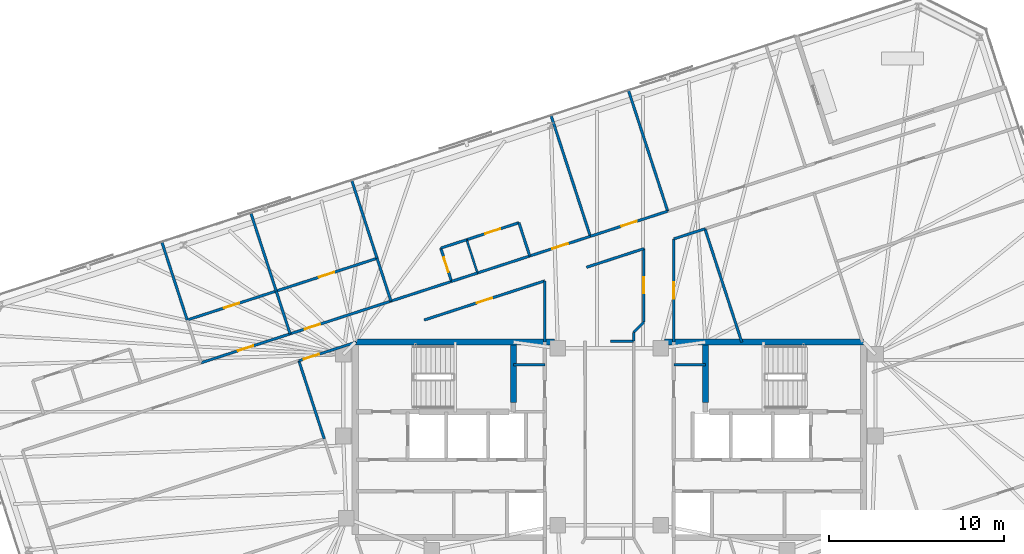
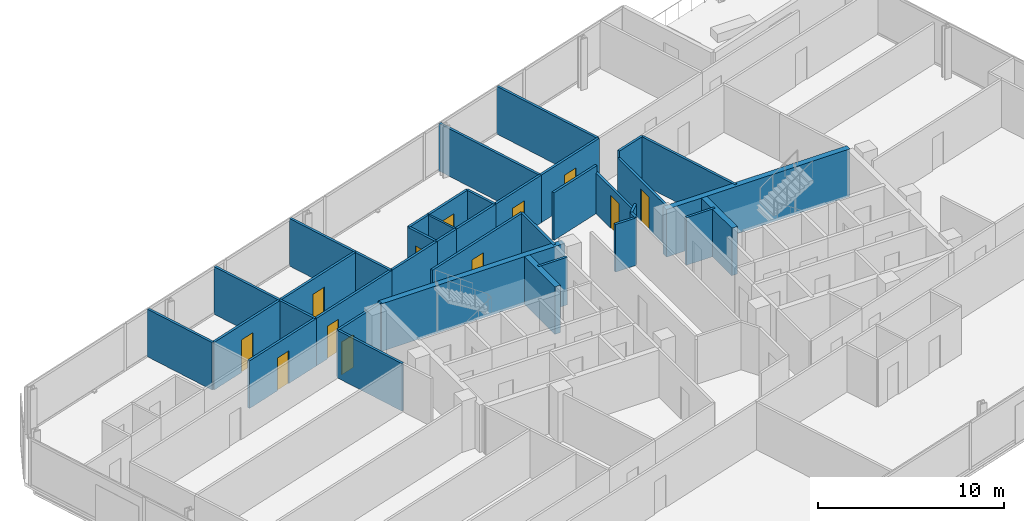
# One storey, part 16 of 19: 39 walls, 12 doors, 12 openings.
"""IFC4 building model written with IfcOpenShell, lengths in metres."""

from ifc_helpers import new_model, si_unit, direction, frame, frame_2d, origin, place, context, subcontext, project, spatial, rectangle, extrude, material, layer, layer_set, type_object, element, fill, save


model = new_model("IFC4")

# Units and contexts
model_context = context("Model", 3, precision=1e-05, world=origin(), true_north=direction((0.0, 1.0)))
body_context = subcontext(model_context, "Body", "Model", "MODEL_VIEW")
ifc_project = project(units=[si_unit("LENGTHUNIT", "METRE"), si_unit("AREAUNIT", "SQUARE_METRE"), si_unit("VOLUMEUNIT", "CUBIC_METRE"), si_unit("PLANEANGLEUNIT", "RADIAN"), si_unit("MASSUNIT", "GRAM", prefix="KILO")], contexts=[model_context])

# Site, building, storey
site_placement = place(None, origin())
site = spatial("IfcSite", under=ifc_project, at=site_placement, CompositionType="ELEMENT")
building_placement = place(site_placement, origin())
building = spatial("IfcBuilding", under=site, at=building_placement, Name="Menara Jurai Vektor", CompositionType="ELEMENT")
storey_placement = place(building_placement, frame((0.0, 0.0, 231.0)))
storey = spatial("IfcBuildingStorey", under=building, at=storey_placement, Name="L61", CompositionType="ELEMENT", Elevation=231.0)

# Walls
ifc_material_1 = material(Name="Gypsum Fireboard Partition", Category="gypsum")
ifc_layer_1 = layer(ifc_material_1, 0.14990234375)
ifc_layer_set_1 = layer_set([ifc_layer_1], Name="Gypsum Fireboard Partition")
wall_type_1 = type_object("IfcWallType", Name="INT-WALL-CORR-150", PredefinedType="PARTITIONING", material=ifc_layer_set_1)
for number, where, z_axis, x_axis, name in (
    (1, (-5.5, 4.300048828125, 0.0), (0.0, 0.0, 1.0), (1.0, 0.0, 0.0), "Interior Wall IW-150 L61"),
    (2, (3.699951171875, 4.300048828125, 0.0), (0.0, 0.0, 1.0), (1.0, 0.0, 0.0), "Interior Wall IW-150 L61"),
):
    element("IfcWall", number, at=place(storey_placement, frame(where, z_axis=z_axis, x_axis=x_axis)), inside=storey, type_object=wall_type_1, Name=name, PredefinedType="PARTITIONING", context=body_context, shape_type="SweptSolid", body=[
        extrude(rectangle(XDim=1.800048828125, YDim=0.14990234375, at=frame_2d((0.89990234375, 0.0))), origin(), (0.0, 0.0, 1.0), 3.125),
    ])
wall_1_placement = place(storey_placement, frame((-12.513427734375, 7.94921875, 0.0), z_axis=(0.0, 0.0, 1.0), x_axis=(0.951050780541, 0.309034646652, 0.0)))
element("IfcWall", 3, at=wall_1_placement, inside=storey, type_object=wall_type_1, Name="Interior Wall IW-150 L61", PredefinedType="PARTITIONING", context=body_context, shape_type="SweptSolid", body=[
    extrude(rectangle(XDim=3.64990234375, YDim=0.14990234375, at=frame_2d((1.824951171875, 0.0))), origin(), (0.0, 0.0, 1.0), 3.125),
])

# Wall, opening, door
wall_2_placement = place(storey_placement, frame((-4.560791015625, 10.533203125, 0.0), z_axis=(0.0, 0.0, 1.0), x_axis=(0.951057168147, 0.309014988174, 0.0)))
wall_2 = element("IfcWall", 4, at=wall_2_placement, inside=storey, type_object=wall_type_1, Name="Interior Wall IW-150 L61", PredefinedType="PARTITIONING", context=body_context, shape_type="SweptSolid", body=[
    extrude(rectangle(XDim=3.650146484375, YDim=0.14990234375, at=frame_2d((1.8251953125, 0.0))), origin(), (0.0, 0.0, 1.0), 3.125),
])
opening_1_placement = place(wall_2_placement, frame((1.35009765625, 0.0, 0.0)))
opening_1 = element("IfcOpeningElement", 5, at=opening_1_placement, cuts=wall_2, Name="Opening D61-12", PredefinedType="OPENING", context=body_context, shape_type="SweptSolid", body=[
    extrude(rectangle(XDim=0.949951171875, YDim=2.14990234375, at=frame_2d((0.47509765625, 1.074951171875))), frame((0.0, 0.0849609375, 0.0), z_axis=(0.0, -1.0, 0.0), x_axis=(1.0, 0.0, 0.0)), (0.0, 0.0, 1.0), 0.169921875),
])
ifc_material_2 = material(Name="Solid Core Timber Fire Door", Category="wood")
door_type_1 = type_object("IfcDoorType", Name="DR-ENTRY-950", OperationType="NOTDEFINED", PredefinedType="DOOR", material=ifc_material_2)
door_1_placement = place(opening_1_placement, origin())
door_1 = element("IfcDoor", 6, at=door_1_placement, inside=storey, type_object=door_type_1, Name="Interior Door D61-12", OperationType="SINGLE_SWING_LEFT", OverallHeight=2.14990234375, OverallWidth=0.949951171875, PredefinedType="DOOR", context=body_context, shape_type="SweptSolid", body=[
    extrude(rectangle(XDim=0.949951171875, YDim=2.14990234375, at=frame_2d((0.47509765625, 1.074951171875))), frame((0.0, 0.02490234375, 0.0), z_axis=(0.0, -1.0, 0.0), x_axis=(1.0, 0.0, 0.0)), (0.0, 0.0, 1.0), 0.050048828125),
])
fill(opening_1, door_1)

# Walls
wall_3_placement = place(storey_placement, frame((-9.042236328125, 9.0771484375, 0.0), z_axis=(0.0, 0.0, 1.0), x_axis=(0.951062779317, 0.308997718112, 0.0)))
element("IfcWall", 7, at=wall_3_placement, inside=storey, type_object=wall_type_1, Name="Interior Wall IW-150 L61", PredefinedType="PARTITIONING", context=body_context, shape_type="SweptSolid", body=[
    extrude(rectangle(XDim=1.56201171875, YDim=0.14990234375, at=frame_2d((0.781005859375, 0.0))), origin(), (0.0, 0.0, 1.0), 3.125),
])
wall_4_placement = place(storey_placement, frame((-7.556640625, 9.559814453125, 0.0), z_axis=(0.0, 0.0, 1.0), x_axis=(0.951058557014, 0.309010713619, 0.0)))
element("IfcWall", 8, at=wall_4_placement, inside=storey, type_object=wall_type_1, Name="Interior Wall IW-150 L61", PredefinedType="PARTITIONING", context=body_context, shape_type="SweptSolid", body=[
    extrude(rectangle(XDim=3.14990234375, YDim=0.14990234375, at=frame_2d((1.574951171875, 0.0))), origin(), (0.0, 0.0, 1.0), 3.125),
])

# Wall, opening, door
wall_5_placement = place(storey_placement, frame((-23.3935546875, 4.4140625, 0.0), z_axis=(0.0, 0.0, 1.0), x_axis=(0.951050121956, 0.309036673434, 0.0)))
wall_5 = element("IfcWall", 9, at=wall_5_placement, inside=storey, type_object=wall_type_1, Name="Interior Wall IW-150 L61", PredefinedType="PARTITIONING", context=body_context, shape_type="SweptSolid", body=[
    extrude(rectangle(XDim=5.3642578125, YDim=0.14990234375, at=frame_2d((2.68212890625, 0.0))), origin(), (0.0, 0.0, 1.0), 3.125),
])
opening_2_placement = place(wall_5_placement, frame((2.221923828125, 0.0, 0.0)))
opening_2 = element("IfcOpeningElement", 10, at=opening_2_placement, cuts=wall_5, Name="Opening D61-26", PredefinedType="OPENING", context=body_context, shape_type="SweptSolid", body=[
    extrude(rectangle(XDim=0.919921875, YDim=2.14990234375, at=frame_2d((0.4599609375, 1.074951171875))), frame((0.0, 0.0849609375, 0.0), z_axis=(0.0, -1.0, 0.0), x_axis=(1.0, 0.0, 0.0)), (0.0, 0.0, 1.0), 0.169921875),
])
door_2_placement = place(opening_2_placement, origin())
door_2 = element("IfcDoor", 11, at=door_2_placement, inside=storey, type_object=door_type_1, Name="Interior Door D61-26", OperationType="SINGLE_SWING_LEFT", OverallHeight=2.14990234375, OverallWidth=0.919921875, PredefinedType="DOOR", context=body_context, shape_type="SweptSolid", body=[
    extrude(rectangle(XDim=0.919921875, YDim=2.14990234375, at=frame_2d((0.4599609375, 1.074951171875))), frame((0.0, 0.02490234375, 0.0), z_axis=(0.0, -1.0, 0.0), x_axis=(1.0, 0.0, 0.0)), (0.0, 0.0, 1.0), 0.050048828125),
])
fill(opening_2, door_2)

# Wall
wall_6_placement = place(storey_placement, frame((3.699462890625, 11.513916015625, 0.0), z_axis=(0.0, 0.0, 1.0), x_axis=(0.951069540665, 0.308976906612, 0.0)))
element("IfcWall", 12, at=wall_6_placement, inside=storey, type_object=wall_type_1, Name="Interior Wall IW-150 L61", PredefinedType="PARTITIONING", context=body_context, shape_type="SweptSolid", body=[
    extrude(rectangle(XDim=1.87109375, YDim=0.14990234375, at=frame_2d((0.935546875, 0.0))), origin(), (0.0, 0.0, 1.0), 3.125),
])

# Wall, opening, door
wall_7_placement = place(storey_placement, frame((-17.79150390625, 4.531005859375, 0.0), z_axis=(0.0, 0.0, 1.0), x_axis=(0.951047546178, 0.309044600193, 0.0)))
wall_7 = element("IfcWall", 13, at=wall_7_placement, inside=storey, type_object=wall_type_1, Name="Interior Wall IW-150 L61", PredefinedType="PARTITIONING", context=body_context, shape_type="SweptSolid", body=[
    extrude(rectangle(XDim=3.4609375, YDim=0.14990234375, at=frame_2d((1.73046875, 0.0))), origin(), (0.0, 0.0, 1.0), 3.125),
])
opening_3_placement = place(wall_7_placement, frame((0.301513671875, 0.0, 0.0)))
opening_3 = element("IfcOpeningElement", 14, at=opening_3_placement, cuts=wall_7, Name="Opening D61-36", PredefinedType="OPENING", context=body_context, shape_type="SweptSolid", body=[
    extrude(rectangle(XDim=0.919921875, YDim=2.14990234375, at=frame_2d((0.4599609375, 1.074951171875))), frame((0.0, 0.0849609375, 0.0), z_axis=(0.0, -1.0, 0.0), x_axis=(1.0, 0.0, 0.0)), (0.0, 0.0, 1.0), 0.169921875),
])
door_3_placement = place(opening_3_placement, origin())
door_3 = element("IfcDoor", 15, at=door_3_placement, inside=storey, type_object=door_type_1, Name="Interior Door D61-36", OperationType="SINGLE_SWING_LEFT", OverallHeight=2.14990234375, OverallWidth=0.919921875, PredefinedType="DOOR", context=body_context, shape_type="SweptSolid", body=[
    extrude(rectangle(XDim=0.919921875, YDim=2.14990234375, at=frame_2d((0.4599609375, 1.074951171875))), frame((0.0, 0.02490234375, 0.0), z_axis=(0.0, -1.0, 0.0), x_axis=(1.0, 0.0, 0.0)), (0.0, 0.0, 1.0), 0.050048828125),
])
fill(opening_3, door_3)

# Walls
wall_8_placement = place(storey_placement, frame((-1.310791015625, 9.885986328125, 0.0), z_axis=(0.0, 0.0, 1.0), x_axis=(0.951068803905, 0.308979174442, 0.0)))
element("IfcWall", 16, at=wall_8_placement, inside=storey, type_object=wall_type_1, Name="Interior Wall IW-150 L61", PredefinedType="PARTITIONING", context=body_context, shape_type="SweptSolid", body=[
    extrude(rectangle(XDim=3.4599609375, YDim=0.14990234375, at=frame_2d((1.72998046875, 0.0))), origin(), (0.0, 0.0, 1.0), 3.125),
])
wall_9_placement = place(storey_placement, frame((1.390625, 5.6494140625, 0.0), z_axis=(0.0, 0.0, 1.0), x_axis=(0.000957395444, 0.999999541697, 0.0)))
element("IfcWall", 17, at=wall_9_placement, inside=storey, type_object=wall_type_1, Name="Interior Wall IW-150 L61", PredefinedType="PARTITIONING", context=body_context, shape_type="SweptSolid", body=[
    extrude(rectangle(XDim=0.510009765625, YDim=0.14990234375, at=frame_2d((0.2548828125, 0.0))), origin(), (0.0, 0.0, 1.0), 3.125),
])
wall_10_placement = place(storey_placement, frame((1.39111328125, 6.159423828125, 0.0), z_axis=(0.0, 0.0, 1.0), x_axis=(0.707106781187, 0.707106781187, 0.0)))
element("IfcWall", 18, at=wall_10_placement, inside=storey, type_object=wall_type_1, Name="Interior Wall IW-150 L61", PredefinedType="PARTITIONING", context=body_context, shape_type="SweptSolid", body=[
    extrude(rectangle(XDim=0.832763671875, YDim=0.14990234375, at=frame_2d((0.41650390625, 0.0))), origin(), (0.0, 0.0, 1.0), 3.125),
])

# Wall, opening, door
wall_11_placement = place(storey_placement, frame((-10.612060546875, 6.86376953125, 0.0), z_axis=(0.0, 0.0, 1.0), x_axis=(0.951060972078, 0.309003280548, 0.0)))
wall_11 = element("IfcWall", 19, at=wall_11_placement, inside=storey, type_object=wall_type_1, Name="Interior Wall IW-150 L61", PredefinedType="PARTITIONING", context=body_context, shape_type="SweptSolid", body=[
    extrude(rectangle(XDim=7.26806640625, YDim=0.14990234375, at=frame_2d((3.634033203125, 0.0))), origin(), (0.0, 0.0, 1.0), 3.125),
])
opening_4_placement = place(wall_11_placement, frame((3.174072265625, 0.0, 0.0)))
opening_4 = element("IfcOpeningElement", 20, at=opening_4_placement, cuts=wall_11, Name="Opening D61-38", PredefinedType="OPENING", context=body_context, shape_type="SweptSolid", body=[
    extrude(rectangle(XDim=0.919921875, YDim=2.14990234375, at=frame_2d((0.4599609375, 1.074951171875))), frame((0.0, 0.0849609375, 0.0), z_axis=(0.0, -1.0, 0.0), x_axis=(1.0, 0.0, 0.0)), (0.0, 0.0, 1.0), 0.169921875),
])
door_4_placement = place(opening_4_placement, origin())
door_4 = element("IfcDoor", 21, at=door_4_placement, inside=storey, type_object=door_type_1, Name="Interior Door D61-38", OperationType="SINGLE_SWING_LEFT", OverallHeight=2.14990234375, OverallWidth=0.919921875, PredefinedType="DOOR", context=body_context, shape_type="SweptSolid", body=[
    extrude(rectangle(XDim=0.919921875, YDim=2.14990234375, at=frame_2d((0.4599609375, 1.074951171875))), frame((0.0, 0.02490234375, 0.0), z_axis=(0.0, -1.0, 0.0), x_axis=(1.0, 0.0, 0.0)), (0.0, 0.0, 1.0), 0.050048828125),
])
fill(opening_4, door_4)

# Wall
wall_12_placement = place(storey_placement, frame((-3.7001953125, 5.599853515625, 0.0), z_axis=(0.0, 0.0, 1.0), x_axis=(0.000139120755, 0.999999990323, 0.0)))
element("IfcWall", 22, at=wall_12_placement, inside=storey, type_object=wall_type_1, Name="Interior Wall IW-150 L61", PredefinedType="PARTITIONING", context=body_context, shape_type="SweptSolid", body=[
    extrude(rectangle(XDim=3.509765625, YDim=0.14990234375, at=frame_2d((1.7548828125, 0.0))), origin(), (0.0, 0.0, 1.0), 3.125),
])

# Wall, opening, door
wall_13_placement = place(storey_placement, frame((-18.2919921875, 6.07177734375, 0.0), z_axis=(0.0, 0.0, 1.0), x_axis=(0.951062707515, 0.30899793911, 0.0)))
wall_13 = element("IfcWall", 23, at=wall_13_placement, inside=storey, type_object=wall_type_1, Name="Interior Wall IW-150 L61", PredefinedType="PARTITIONING", context=body_context, shape_type="SweptSolid", body=[
    extrude(rectangle(XDim=6.075927734375, YDim=0.14990234375, at=frame_2d((3.0380859375, 0.0))), origin(), (0.0, 0.0, 1.0), 3.125),
])
opening_5_placement = place(wall_13_placement, frame((0.876708984375, 0.0, 0.0)))
opening_5 = element("IfcOpeningElement", 24, at=opening_5_placement, cuts=wall_13, Name="Opening D61-39", PredefinedType="OPENING", context=body_context, shape_type="SweptSolid", body=[
    extrude(rectangle(XDim=0.919921875, YDim=2.14990234375, at=frame_2d((0.4599609375, 1.074951171875))), frame((0.0, 0.0849609375, 0.0), z_axis=(0.0, -1.0, 0.0), x_axis=(1.0, 0.0, 0.0)), (0.0, 0.0, 1.0), 0.169921875),
])
door_5_placement = place(opening_5_placement, origin())
door_5 = element("IfcDoor", 25, at=door_5_placement, inside=storey, type_object=door_type_1, Name="Interior Door D61-39", OperationType="SINGLE_SWING_RIGHT", OverallHeight=2.14990234375, OverallWidth=0.919921875, PredefinedType="DOOR", context=body_context, shape_type="SweptSolid", body=[
    extrude(rectangle(XDim=0.919921875, YDim=2.14990234375, at=frame_2d((0.4599609375, 1.074951171875))), frame((0.0, 0.02490234375, 0.0), z_axis=(0.0, -1.0, 0.0), x_axis=(1.0, 0.0, 0.0)), (0.0, 0.0, 1.0), 0.050048828125),
])
fill(opening_5, door_5)

wall_14_placement = place(storey_placement, frame((-1.08935546875, 11.6611328125, 0.0), z_axis=(0.0, 0.0, 1.0), x_axis=(0.951043687064, 0.309056475901, 0.0)))
wall_14 = element("IfcWall", 26, at=wall_14_placement, inside=storey, type_object=wall_type_1, Name="Interior Wall IW-150 L61", PredefinedType="PARTITIONING", context=body_context, shape_type="SweptSolid", body=[
    extrude(rectangle(XDim=4.6630859375, YDim=0.14990234375, at=frame_2d((2.33154296875, 0.0))), origin(), (0.0, 0.0, 1.0), 3.125),
])
opening_6_placement = place(wall_14_placement, frame((1.87158203125, 0.0, 0.0)))
opening_6 = element("IfcOpeningElement", 27, at=opening_6_placement, cuts=wall_14, Name="Opening D61-41", PredefinedType="OPENING", context=body_context, shape_type="SweptSolid", body=[
    extrude(rectangle(XDim=0.919921875, YDim=2.14990234375, at=frame_2d((0.4599609375, 1.074951171875))), frame((0.0, 0.0849609375, 0.0), z_axis=(0.0, -1.0, 0.0), x_axis=(1.0, 0.0, 0.0)), (0.0, 0.0, 1.0), 0.169921875),
])
door_6_placement = place(opening_6_placement, origin())
door_6 = element("IfcDoor", 28, at=door_6_placement, inside=storey, type_object=door_type_1, Name="Interior Door D61-41", OperationType="SINGLE_SWING_RIGHT", OverallHeight=2.14990234375, OverallWidth=0.919921875, PredefinedType="DOOR", context=body_context, shape_type="SweptSolid", body=[
    extrude(rectangle(XDim=0.919921875, YDim=2.14990234375, at=frame_2d((0.4599609375, 1.074951171875))), frame((0.0, 0.02490234375, 0.0), z_axis=(0.0, -1.0, 0.0), x_axis=(1.0, 0.0, 0.0)), (0.0, 0.0, 1.0), 0.050048828125),
])
fill(opening_6, door_6)

# Walls
wall_15_placement = place(storey_placement, frame((0.065673828125, 5.64990234375, 0.0), z_axis=(0.0, 0.0, 1.0), x_axis=(0.999999932094, -0.000368527707, 0.0)))
element("IfcWall", 29, at=wall_15_placement, inside=storey, type_object=wall_type_1, Name="Interior Wall IW-150 L61", PredefinedType="PARTITIONING", context=body_context, shape_type="SweptSolid", body=[
    extrude(rectangle(XDim=1.324951171875, YDim=0.14990234375, at=frame_2d((0.66259765625, 0.0))), origin(), (0.0, 0.0, 1.0), 3.125),
])
wall_16_placement = place(storey_placement, frame((-24.1904296875, 6.866943359375, 0.0), z_axis=(0.0, 0.0, 1.0), x_axis=(-0.309057912466, 0.951043220228, 0.0)))
element("IfcWall", 30, at=wall_16_placement, inside=storey, type_object=wall_type_1, Name="Interior Wall IW-150 L61", PredefinedType="PARTITIONING", context=body_context, shape_type="SweptSolid", body=[
    extrude(rectangle(XDim=4.704833984375, YDim=0.14990234375, at=frame_2d((2.3525390625, 0.0))), origin(), (0.0, 0.0, 1.0), 3.125),
])

# Wall, opening, door
wall_17_placement = place(storey_placement, frame((-9.042236328125, 9.0771484375, 0.0), z_axis=(0.0, 0.0, 1.0), x_axis=(-0.308912611775, 0.951090425925, 0.0)))
wall_17 = element("IfcWall", 31, at=wall_17_placement, inside=storey, type_object=wall_type_1, Name="Interior Wall IW-150 L61", PredefinedType="PARTITIONING", context=body_context, shape_type="SweptSolid", body=[
    extrude(rectangle(XDim=2.005126953125, YDim=0.14990234375, at=frame_2d((1.00244140625, 0.0))), origin(), (0.0, 0.0, 1.0), 3.125),
])
opening_7_placement = place(wall_17_placement, frame((0.5625, 0.0, 0.0)))
opening_7 = element("IfcOpeningElement", 32, at=opening_7_placement, cuts=wall_17, Name="Opening D61-13", PredefinedType="OPENING", context=body_context, shape_type="SweptSolid", body=[
    extrude(rectangle(XDim=0.8798828125, YDim=2.14990234375, at=frame_2d((0.43994140625, 1.074951171875))), frame((0.0, 0.0849609375, 0.0), z_axis=(0.0, -1.0, 0.0), x_axis=(1.0, 0.0, 0.0)), (0.0, 0.0, 1.0), 0.169921875),
])
ifc_material_3 = material(Name="Moisture-Resistant Timber Door", Category="wood")
door_type_2 = type_object("IfcDoorType", Name="DR-BATH-880", OperationType="NOTDEFINED", PredefinedType="DOOR", material=ifc_material_3)
door_7_placement = place(opening_7_placement, origin())
door_7 = element("IfcDoor", 33, at=door_7_placement, inside=storey, type_object=door_type_2, Name="Interior Door D61-13", OperationType="SINGLE_SWING_RIGHT", OverallHeight=2.14990234375, OverallWidth=0.8798828125, PredefinedType="DOOR", context=body_context, shape_type="SweptSolid", body=[
    extrude(rectangle(XDim=0.8798828125, YDim=2.14990234375, at=frame_2d((0.43994140625, 1.074951171875))), frame((0.0, 0.02490234375, 0.0), z_axis=(0.0, -1.0, 0.0), x_axis=(1.0, 0.0, 0.0)), (0.0, 0.0, 1.0), 0.050048828125),
])
fill(opening_7, door_7)

# Wall
wall_18_placement = place(storey_placement, frame((-9.66162109375, 10.984130859375, 0.0), z_axis=(0.0, 0.0, 1.0), x_axis=(0.951047852885, 0.309043656337, 0.0)))
element("IfcWall", 34, at=wall_18_placement, inside=storey, type_object=wall_type_1, Name="Interior Wall IW-150 L61", PredefinedType="PARTITIONING", context=body_context, shape_type="SweptSolid", body=[
    extrude(rectangle(XDim=1.561767578125, YDim=0.14990234375, at=frame_2d((0.78076171875, 0.0))), origin(), (0.0, 0.0, 1.0), 3.125),
])

# Wall, opening, door
wall_19_placement = place(storey_placement, frame((-8.17626953125, 11.466796875, 0.0), z_axis=(0.0, 0.0, 1.0), x_axis=(0.951058557014, 0.309010713619, 0.0)))
wall_19 = element("IfcWall", 35, at=wall_19_placement, inside=storey, type_object=wall_type_1, Name="Interior Wall IW-150 L61", PredefinedType="PARTITIONING", context=body_context, shape_type="SweptSolid", body=[
    extrude(rectangle(XDim=3.14990234375, YDim=0.14990234375, at=frame_2d((1.574951171875, 0.0))), origin(), (0.0, 0.0, 1.0), 3.125),
])
opening_8_placement = place(wall_19_placement, frame((1.125, 0.0, 0.0)))
opening_8 = element("IfcOpeningElement", 36, at=opening_8_placement, cuts=wall_19, Name="Opening D61-14", PredefinedType="OPENING", context=body_context, shape_type="SweptSolid", body=[
    extrude(rectangle(XDim=0.89990234375, YDim=2.14990234375, at=frame_2d((0.449951171875, 1.074951171875))), frame((0.0, 0.0849609375, 0.0), z_axis=(0.0, -1.0, 0.0), x_axis=(1.0, 0.0, 0.0)), (0.0, 0.0, 1.0), 0.169921875),
])
ifc_material_4 = material(Name="Acoustic Timber Interior Door", Category="wood")
door_type_3 = type_object("IfcDoorType", Name="DR-ROOM-900", OperationType="NOTDEFINED", PredefinedType="DOOR", material=ifc_material_4)
door_8_placement = place(opening_8_placement, origin())
door_8 = element("IfcDoor", 37, at=door_8_placement, inside=storey, type_object=door_type_3, Name="Interior Door D61-14", OperationType="SINGLE_SWING_LEFT", OverallHeight=2.14990234375, OverallWidth=0.89990234375, PredefinedType="DOOR", context=body_context, shape_type="SweptSolid", body=[
    extrude(rectangle(XDim=0.89990234375, YDim=2.14990234375, at=frame_2d((0.449951171875, 1.074951171875))), frame((0.0, 0.02490234375, 0.0), z_axis=(0.0, -1.0, 0.0), x_axis=(1.0, 0.0, 0.0)), (0.0, 0.0, 1.0), 0.050048828125),
])
fill(opening_8, door_8)

# Walls
wall_20_placement = place(storey_placement, frame((-4.560791015625, 10.533203125, 0.0), z_axis=(0.0, 0.0, 1.0), x_axis=(-0.309022749039, 0.951054646472, 0.0)))
element("IfcWall", 38, at=wall_20_placement, inside=storey, type_object=wall_type_1, Name="Interior Wall IW-150 L61", PredefinedType="PARTITIONING", context=body_context, shape_type="SweptSolid", body=[
    extrude(rectangle(XDim=2.005126953125, YDim=0.14990234375, at=frame_2d((1.00244140625, 0.0))), origin(), (0.0, 0.0, 1.0), 3.125),
])
wall_21_placement = place(storey_placement, frame((-12.513427734375, 7.94921875, 0.0), z_axis=(0.0, 0.0, 1.0), x_axis=(-0.309062527822, 0.951041720376, 0.0)))
element("IfcWall", 39, at=wall_21_placement, inside=storey, type_object=wall_type_1, Name="Interior Wall IW-150 L61", PredefinedType="PARTITIONING", context=body_context, shape_type="SweptSolid", body=[
    extrude(rectangle(XDim=2.5791015625, YDim=0.14990234375, at=frame_2d((1.28955078125, 0.0))), origin(), (0.0, 0.0, 1.0), 3.125),
])
wall_22_placement = place(storey_placement, frame((-13.310546875, 10.402099609375, 0.0), z_axis=(0.0, 0.0, 1.0), x_axis=(-0.309010977541, 0.951058471262, 0.0)))
element("IfcWall", 40, at=wall_22_placement, inside=storey, type_object=wall_type_1, Name="Interior Wall IW-150 L61", PredefinedType="PARTITIONING", context=body_context, shape_type="SweptSolid", body=[
    extrude(rectangle(XDim=4.704833984375, YDim=0.14990234375, at=frame_2d((2.3525390625, 0.0))), origin(), (0.0, 0.0, 1.0), 3.125),
])
wall_23_placement = place(storey_placement, frame((-1.08935546875, 11.6611328125, 0.0), z_axis=(0.0, 0.0, 1.0), x_axis=(-0.309029230739, 0.951052540372, 0.0)))
element("IfcWall", 41, at=wall_23_placement, inside=storey, type_object=wall_type_1, Name="Interior Wall IW-150 L61", PredefinedType="PARTITIONING", context=body_context, shape_type="SweptSolid", body=[
    extrude(rectangle(XDim=7.283935546875, YDim=0.14990234375, at=frame_2d((3.64208984375, 0.0))), origin(), (0.0, 0.0, 1.0), 3.125),
])
wall_24_placement = place(storey_placement, frame((-16.3369140625, 0.054443359375, 0.0), z_axis=(0.0, 0.0, 1.0), x_axis=(-0.309029776355, 0.951052363083, 0.0)))
element("IfcWall", 42, at=wall_24_placement, inside=storey, type_object=wall_type_1, Name="Interior Wall IW-150 L61", PredefinedType="PARTITIONING", context=body_context, shape_type="SweptSolid", body=[
    extrude(rectangle(XDim=4.70703125, YDim=0.14990234375, at=frame_2d((2.353515625, 0.0))), origin(), (0.0, 0.0, 1.0), 3.125),
])

# Wall, opening, door
wall_25_placement = place(storey_placement, frame((-24.1904296875, 6.866943359375, 0.0), z_axis=(0.0, 0.0, 1.0), x_axis=(0.951059152206, 0.309008881758, 0.0)))
wall_25 = element("IfcWall", 43, at=wall_25_placement, inside=storey, type_object=wall_type_1, Name="Interior Wall IW-150 L61", PredefinedType="PARTITIONING", context=body_context, shape_type="SweptSolid", body=[
    extrude(rectangle(XDim=5.36376953125, YDim=0.14990234375, at=frame_2d((2.681884765625, 0.0))), origin(), (0.0, 0.0, 1.0), 3.125),
])
opening_9_placement = place(wall_25_placement, frame((2.221923828125, 0.0, 0.0)))
opening_9 = element("IfcOpeningElement", 44, at=opening_9_placement, cuts=wall_25, Name="Opening D61-27", PredefinedType="OPENING", context=body_context, shape_type="SweptSolid", body=[
    extrude(rectangle(XDim=0.919921875, YDim=2.14990234375, at=frame_2d((0.4599609375, 1.074951171875))), frame((0.0, 0.0849609375, 0.0), z_axis=(0.0, -1.0, 0.0), x_axis=(1.0, 0.0, 0.0)), (0.0, 0.0, 1.0), 0.169921875),
])
door_9_placement = place(opening_9_placement, origin())
door_9 = element("IfcDoor", 45, at=door_9_placement, inside=storey, type_object=door_type_1, Name="Interior Door D61-27", OperationType="SINGLE_SWING_RIGHT", OverallHeight=2.14990234375, OverallWidth=0.919921875, PredefinedType="DOOR", context=body_context, shape_type="SweptSolid", body=[
    extrude(rectangle(XDim=0.919921875, YDim=2.14990234375, at=frame_2d((0.4599609375, 1.074951171875))), frame((0.0, 0.02490234375, 0.0), z_axis=(0.0, -1.0, 0.0), x_axis=(1.0, 0.0, 0.0)), (0.0, 0.0, 1.0), 0.050048828125),
])
fill(opening_9, door_9)

# Walls
wall_26_placement = place(storey_placement, frame((-18.2919921875, 6.07177734375, 0.0), z_axis=(0.0, 0.0, 1.0), x_axis=(-0.309090353524, 0.951032677335, 0.0)))
element("IfcWall", 46, at=wall_26_placement, inside=storey, type_object=wall_type_1, Name="Interior Wall IW-150 L61", PredefinedType="PARTITIONING", context=body_context, shape_type="SweptSolid", body=[
    extrude(rectangle(XDim=2.578857421875, YDim=0.14990234375, at=frame_2d((1.28955078125, 0.0))), origin(), (0.0, 0.0, 1.0), 3.125),
])
wall_27_placement = place(storey_placement, frame((-19.089111328125, 8.5244140625, 0.0), z_axis=(0.0, 0.0, 1.0), x_axis=(-0.308995728133, 0.951063425853, 0.0)))
element("IfcWall", 47, at=wall_27_placement, inside=storey, type_object=wall_type_1, Name="Interior Wall IW-150 L61", PredefinedType="PARTITIONING", context=body_context, shape_type="SweptSolid", body=[
    extrude(rectangle(XDim=4.705078125, YDim=0.14990234375, at=frame_2d((2.3525390625, 0.0))), origin(), (0.0, 0.0, 1.0), 3.125),
])
wall_28_placement = place(storey_placement, frame((7.58837890625, 5.60009765625, 0.0), z_axis=(0.0, 0.0, 1.0), x_axis=(-0.309018946982, 0.951055881852, 0.0)))
element("IfcWall", 48, at=wall_28_placement, inside=storey, type_object=wall_type_1, Name="Interior Wall IW-150 L61", PredefinedType="PARTITIONING", context=body_context, shape_type="SweptSolid", body=[
    extrude(rectangle(XDim=6.825927734375, YDim=0.14990234375, at=frame_2d((3.4130859375, 0.0))), origin(), (0.0, 0.0, 1.0), 3.125),
])

# Wall, opening, door
wall_29_placement = place(storey_placement, frame((-19.089111328125, 8.5244140625, 0.0), z_axis=(0.0, 0.0, 1.0), x_axis=(0.951050898488, 0.309034283674, 0.0)))
wall_29 = element("IfcWall", 49, at=wall_29_placement, inside=storey, type_object=wall_type_1, Name="Interior Wall IW-150 L61", PredefinedType="PARTITIONING", context=body_context, shape_type="SweptSolid", body=[
    extrude(rectangle(XDim=6.075927734375, YDim=0.14990234375, at=frame_2d((3.0380859375, 0.0))), origin(), (0.0, 0.0, 1.0), 3.125),
])
opening_10_placement = place(wall_29_placement, frame((2.577880859375, 0.0, 0.0)))
opening_10 = element("IfcOpeningElement", 50, at=opening_10_placement, cuts=wall_29, Name="Opening D61-40", PredefinedType="OPENING", context=body_context, shape_type="SweptSolid", body=[
    extrude(rectangle(XDim=0.919921875, YDim=2.14990234375, at=frame_2d((0.4599609375, 1.074951171875))), frame((0.0, 0.0849609375, 0.0), z_axis=(0.0, -1.0, 0.0), x_axis=(1.0, 0.0, 0.0)), (0.0, 0.0, 1.0), 0.169921875),
])
door_10_placement = place(opening_10_placement, origin())
door_10 = element("IfcDoor", 51, at=door_10_placement, inside=storey, type_object=door_type_1, Name="Interior Door D61-40", OperationType="SINGLE_SWING_LEFT", OverallHeight=2.14990234375, OverallWidth=0.919921875, PredefinedType="DOOR", context=body_context, shape_type="SweptSolid", body=[
    extrude(rectangle(XDim=0.919921875, YDim=2.14990234375, at=frame_2d((0.4599609375, 1.074951171875))), frame((0.0, 0.02490234375, 0.0), z_axis=(0.0, -1.0, 0.0), x_axis=(1.0, 0.0, 0.0)), (0.0, 0.0, 1.0), 0.050048828125),
])
fill(opening_10, door_10)

# Wall
wall_30_placement = place(storey_placement, frame((3.345458984375, 13.102294921875, 0.0), z_axis=(0.0, 0.0, 1.0), x_axis=(-0.309029230739, 0.951052540372, 0.0)))
element("IfcWall", 52, at=wall_30_placement, inside=storey, type_object=wall_type_1, Name="Interior Wall IW-150 L61", PredefinedType="PARTITIONING", context=body_context, shape_type="SweptSolid", body=[
    extrude(rectangle(XDim=7.283935546875, YDim=0.14990234375, at=frame_2d((3.64208984375, 0.0))), origin(), (0.0, 0.0, 1.0), 3.125),
])

# Wall, opening, door
ifc_layer_2 = layer(ifc_material_1, 0.14990234375)
ifc_layer_set_2 = layer_set([ifc_layer_2], Name="Gypsum Fireboard Partition")
wall_type_2 = type_object("IfcWallType", Name="INT-WALL-CORR-150-H1", PredefinedType="PARTITIONING", material=ifc_layer_set_2)
wall_31_placement = place(storey_placement, frame((3.7001953125, 5.599609375, 0.0), z_axis=(0.0, 0.0, 1.0), x_axis=(-0.000123839008, 0.999999992332, 0.0)))
wall_31 = element("IfcWall", 53, at=wall_31_placement, inside=storey, type_object=wall_type_2, Name="Interior Wall IW-150 L61", PredefinedType="PARTITIONING", context=body_context, shape_type="SweptSolid", body=[
    extrude(rectangle(XDim=5.914306640625, YDim=0.14990234375, at=frame_2d((2.95703125, 0.0))), origin(), (0.0, 0.0, 1.0), 2.675048828125),
])
opening_11_placement = place(wall_31_placement, frame((2.497314453125, 0.0, 0.0)))
opening_11 = element("IfcOpeningElement", 54, at=opening_11_placement, cuts=wall_31, Name="Opening D61-34", PredefinedType="OPENING", context=body_context, shape_type="SweptSolid", body=[
    extrude(rectangle(XDim=0.919921875, YDim=2.14990234375, at=frame_2d((0.4599609375, 1.074951171875))), frame((0.0, 0.0849609375, 0.0), z_axis=(0.0, -1.0, 0.0), x_axis=(1.0, 0.0, 0.0)), (0.0, 0.0, 1.0), 0.169921875),
])
door_11_placement = place(opening_11_placement, origin())
door_11 = element("IfcDoor", 55, at=door_11_placement, inside=storey, type_object=door_type_1, Name="Interior Door D61-34", OperationType="SINGLE_SWING_LEFT", OverallHeight=2.14990234375, OverallWidth=0.919921875, PredefinedType="DOOR", context=body_context, shape_type="SweptSolid", body=[
    extrude(rectangle(XDim=0.919921875, YDim=2.14990234375, at=frame_2d((0.4599609375, 1.074951171875))), frame((0.0, 0.02490234375, 0.0), z_axis=(0.0, -1.0, 0.0), x_axis=(1.0, 0.0, 0.0)), (0.0, 0.0, 1.0), 0.050048828125),
])
fill(opening_11, door_11)

wall_32_placement = place(storey_placement, frame((1.97998046875, 6.748291015625, 0.0), z_axis=(0.0, 0.0, 1.0), x_axis=(0.0, 1.0, 0.0)))
wall_32 = element("IfcWall", 56, at=wall_32_placement, inside=storey, type_object=wall_type_2, Name="Interior Wall IW-150 L61", PredefinedType="PARTITIONING", context=body_context, shape_type="SweptSolid", body=[
    extrude(rectangle(XDim=4.206787109375, YDim=0.14990234375, at=frame_2d((2.103515625, 0.0))), origin(), (0.0, 0.0, 1.0), 2.675048828125),
])
opening_12_placement = place(wall_32_placement, frame((1.643310546875, 0.0, 0.0)))
opening_12 = element("IfcOpeningElement", 57, at=opening_12_placement, cuts=wall_32, Name="Opening D61-37", PredefinedType="OPENING", context=body_context, shape_type="SweptSolid", body=[
    extrude(rectangle(XDim=0.919921875, YDim=2.14990234375, at=frame_2d((0.4599609375, 1.074951171875))), frame((0.0, 0.0849609375, 0.0), z_axis=(0.0, -1.0, 0.0), x_axis=(1.0, 0.0, 0.0)), (0.0, 0.0, 1.0), 0.169921875),
])
door_12_placement = place(opening_12_placement, origin())
door_12 = element("IfcDoor", 58, at=door_12_placement, inside=storey, type_object=door_type_1, Name="Interior Door D61-37", OperationType="SINGLE_SWING_RIGHT", OverallHeight=2.14990234375, OverallWidth=0.919921875, PredefinedType="DOOR", context=body_context, shape_type="SweptSolid", body=[
    extrude(rectangle(XDim=0.919921875, YDim=2.14990234375, at=frame_2d((0.4599609375, 1.074951171875))), frame((0.0, 0.02490234375, 0.0), z_axis=(0.0, -1.0, 0.0), x_axis=(1.0, 0.0, 0.0)), (0.0, 0.0, 1.0), 0.050048828125),
])
fill(opening_12, door_12)

# Walls
ifc_material_5 = material(Name="Gypsum Acoustic Stud Partition", Category="gypsum")
ifc_layer_3 = layer(ifc_material_5, 0.1201171875)
ifc_layer_set_3 = layer_set([ifc_layer_3], Name="Gypsum Acoustic Stud Partition")
wall_type_3 = type_object("IfcWallType", Name="INT-WALL-PART-120", PredefinedType="PARTITIONING", material=ifc_layer_set_3)
wall_33_placement = place(storey_placement, frame((-7.556640625, 9.559814453125, 0.0), z_axis=(0.0, 0.0, 1.0), x_axis=(-0.309022749039, 0.951054646472, 0.0)))
element("IfcWall", 59, at=wall_33_placement, inside=storey, type_object=wall_type_3, Name="Interior Wall IW-120 L61", PredefinedType="PARTITIONING", context=body_context, shape_type="SweptSolid", body=[
    extrude(rectangle(XDim=2.005126953125, YDim=0.1201171875, at=frame_2d((1.00244140625, 0.0))), origin(), (0.0, 0.0, 1.0), 3.125),
])
ifc_material_6 = material(Name="Concrete C50/60", Category="concrete")
ifc_layer_4 = layer(ifc_material_6, 0.35009765625)
ifc_layer_set_4 = layer_set([ifc_layer_4], Name="Concrete C50/60")
wall_type_4 = type_object("IfcWallType", Name="STR-WALL-CORE350", PredefinedType="SHEAR", material=ifc_layer_set_4)
wall_34_placement = place(storey_placement, frame((-14.56005859375, 5.60009765625, 0.0), z_axis=(0.0, 0.0, 1.0), x_axis=(1.0, 0.0, 0.0)))
element("IfcWall", 60, at=wall_34_placement, inside=storey, type_object=wall_type_4, Name="Core Shear Wall CW-W-N L61", PredefinedType="SHEAR", context=body_context, shape_type="SweptSolid", body=[
    extrude(rectangle(XDim=11.41015625, YDim=0.35009765625, at=frame_2d((5.705078125, 0.0))), origin(), (0.0, 0.0, 1.0), 3.125),
])
wall_35_placement = place(storey_placement, frame((-5.5, 2.14990234375, 0.0), z_axis=(0.0, 0.0, 1.0), x_axis=(0.0, 1.0, 0.0)))
element("IfcWall", 61, at=wall_35_placement, inside=storey, type_object=wall_type_4, Name="Core Shear Wall CW-W-ST L61", PredefinedType="SHEAR", context=body_context, shape_type="SweptSolid", body=[
    extrude(rectangle(XDim=3.275146484375, YDim=0.35009765625, at=frame_2d((1.6376953125, 0.0))), origin(), (0.0, 0.0, 1.0), 3.125),
])
wall_36_placement = place(storey_placement, frame((3.14990234375, 5.60009765625, 0.0), z_axis=(0.0, 0.0, 1.0), x_axis=(1.0, 0.0, 0.0)))
element("IfcWall", 62, at=wall_36_placement, inside=storey, type_object=wall_type_4, Name="Core Shear Wall CW-E-N L61", PredefinedType="SHEAR", context=body_context, shape_type="SweptSolid", body=[
    extrude(rectangle(XDim=11.41015625, YDim=0.35009765625, at=frame_2d((5.705078125, 0.0))), origin(), (0.0, 0.0, 1.0), 3.125),
])
wall_37_placement = place(storey_placement, frame((5.5, 2.14990234375, 0.0), z_axis=(0.0, 0.0, 1.0), x_axis=(0.0, 1.0, 0.0)))
element("IfcWall", 63, at=wall_37_placement, inside=storey, type_object=wall_type_4, Name="Core Shear Wall CW-E-ST L61", PredefinedType="SHEAR", context=body_context, shape_type="SweptSolid", body=[
    extrude(rectangle(XDim=3.275146484375, YDim=0.35009765625, at=frame_2d((1.6376953125, 0.0))), origin(), (0.0, 0.0, 1.0), 3.125),
])

save(model, "model.ifc")
